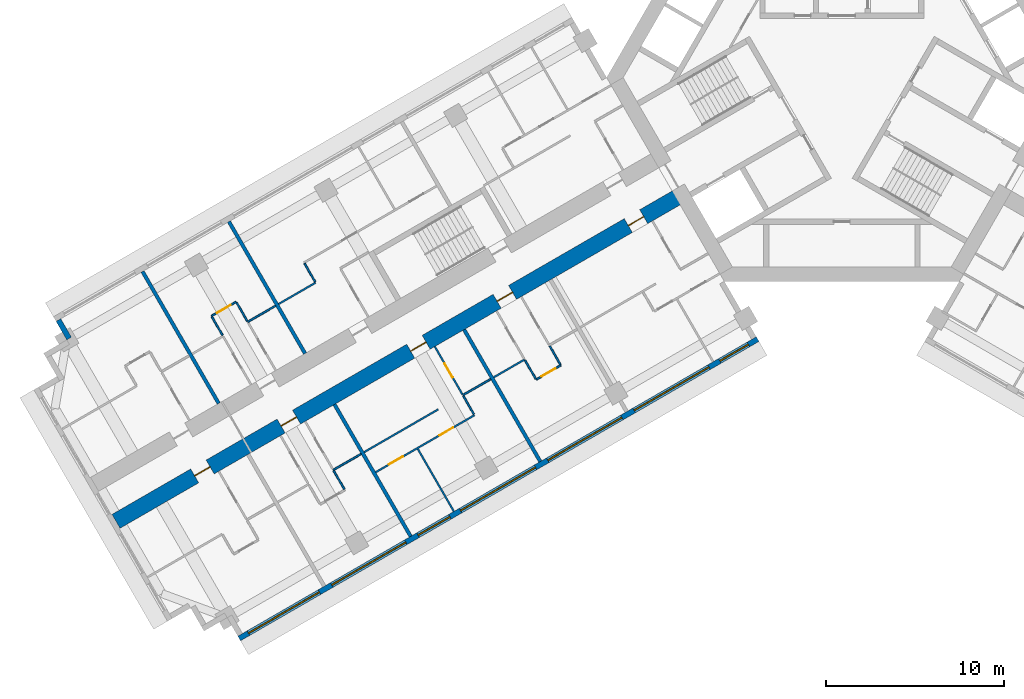
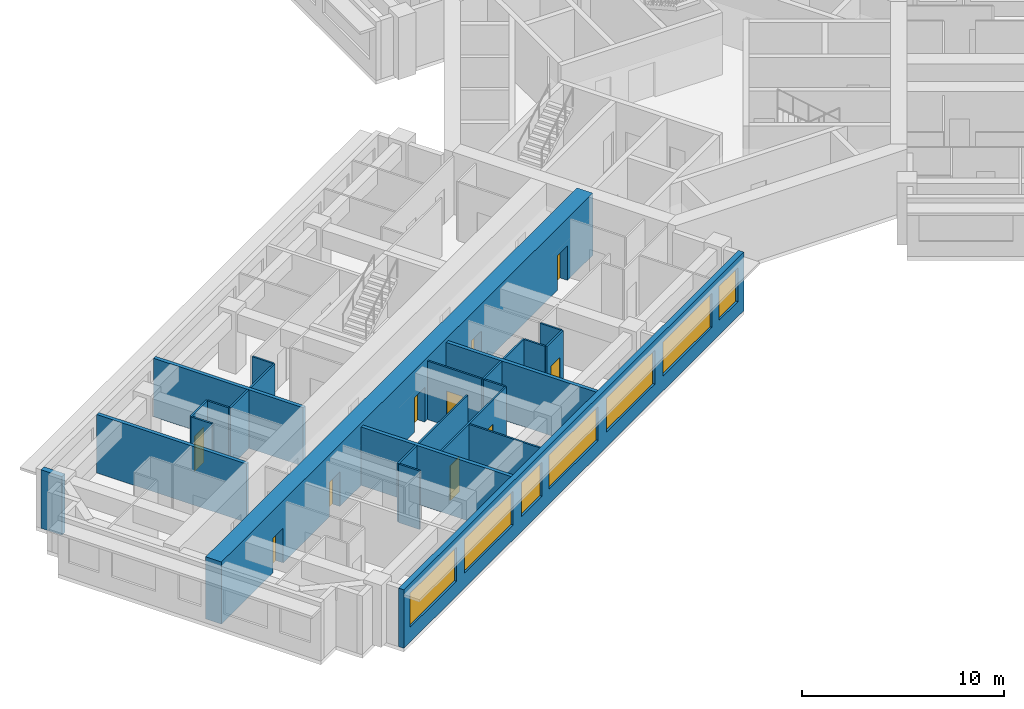
# One storey, part 4 of 15: 25 walls, 10 doors, 7 windows, 17 openings.
"""IFC4 building model written with IfcOpenShell, lengths in metres."""

from ifc_helpers import new_model, si_unit, direction, frame, frame_2d, origin, place, context, subcontext, project, spatial, rectangle, extrude, material, layer, layer_set, type_object, element, fill, save


model = new_model("IFC4")

# Units and contexts
model_context = context("Model", 3, precision=1e-05, world=origin(), true_north=direction((0.0, 1.0)))
body_context = subcontext(model_context, "Body", "Model", "MODEL_VIEW")
ifc_project = project(units=[si_unit("LENGTHUNIT", "METRE"), si_unit("AREAUNIT", "SQUARE_METRE"), si_unit("VOLUMEUNIT", "CUBIC_METRE"), si_unit("PLANEANGLEUNIT", "RADIAN"), si_unit("MASSUNIT", "GRAM", prefix="KILO")], contexts=[model_context])

# Site, building, storey
site_placement = place(None, origin())
site = spatial("IfcSite", under=ifc_project, at=site_placement, CompositionType="ELEMENT")
building_placement = place(site_placement, origin())
building = spatial("IfcBuilding", under=site, at=building_placement, Name="Impinga Residences", CompositionType="ELEMENT")
storey_placement = place(building_placement, frame((0.0, 0.0, 113.5)))
storey = spatial("IfcBuildingStorey", under=building, at=storey_placement, Name="L27", CompositionType="ELEMENT", Elevation=113.5)

# Wall, openings, doors
ifc_material_1 = material(Name="Concrete C60/75", Category="concrete")
ifc_layer_1 = layer(ifc_material_1, 0.89990234375)
ifc_layer_set_1 = layer_set([ifc_layer_1], Name="Concrete C60/75")
wall_type_1 = type_object("IfcWallType", Name="BW2 corridor buttress wall, L24 to L44 900", PredefinedType="SHEAR", material=ifc_layer_set_1)
wall_1_placement = place(storey_placement, frame((-8.95361328125, -6.554931640625, 0.0), z_axis=(0.0, 0.0, 1.0), x_axis=(-0.866024733898, -0.500001160275, 0.0)))
wall_1 = element("IfcWall", 1, at=wall_1_placement, inside=storey, type_object=wall_type_1, Name="Corridor wall BW2 WC L27", PredefinedType="SHEAR", context=body_context, shape_type="SweptSolid", body=[
    extrude(rectangle(XDim=36.7001953125, YDim=0.89990234375, at=frame_2d((18.35009765625, 0.0))), origin(), (0.0, 0.0, 1.0), 3.75),
])
opening_1_placement = place(wall_1_placement, frame((2.5, 0.0, 0.0)))
opening_1 = element("IfcOpeningElement", 2, at=opening_1_placement, cuts=wall_1, Name="Opening D1", PredefinedType="OPENING", context=body_context, shape_type="SweptSolid", body=[
    extrude(rectangle(XDim=1.0, YDim=2.10009765625, at=frame_2d((0.5, 1.050048828125))), frame((0.0, 0.4599609375, 0.0), z_axis=(0.0, -1.0, 0.0), x_axis=(1.0, 0.0, 0.0)), (0.0, 0.0, 1.0), 0.919921875),
])
opening_2_placement = place(wall_1_placement, frame((11.0, 0.0, 0.0)))
opening_2 = element("IfcOpeningElement", 3, at=opening_2_placement, cuts=wall_1, Name="Opening D1", PredefinedType="OPENING", context=body_context, shape_type="SweptSolid", body=[
    extrude(rectangle(XDim=1.0, YDim=2.10009765625, at=frame_2d((0.5, 1.050048828125))), frame((0.0, 0.4599609375, 0.0), z_axis=(0.0, -1.0, 0.0), x_axis=(1.0, 0.0, 0.0)), (0.0, 0.0, 1.0), 0.919921875),
])
opening_3_placement = place(wall_1_placement, frame((16.60009765625, 0.0, 0.0)))
opening_3 = element("IfcOpeningElement", 4, at=opening_3_placement, cuts=wall_1, Name="Opening D1", PredefinedType="OPENING", context=body_context, shape_type="SweptSolid", body=[
    extrude(rectangle(XDim=1.0, YDim=2.10009765625, at=frame_2d((0.5, 1.050048828125))), frame((0.0, 0.4599609375, 0.0), z_axis=(0.0, -1.0, 0.0), x_axis=(1.0, 0.0, 0.0)), (0.0, 0.0, 1.0), 0.919921875),
])
opening_4_placement = place(wall_1_placement, frame((25.0, 0.0, 0.0)))
opening_4 = element("IfcOpeningElement", 5, at=opening_4_placement, cuts=wall_1, Name="Opening D1", PredefinedType="OPENING", context=body_context, shape_type="SweptSolid", body=[
    extrude(rectangle(XDim=1.0, YDim=2.10009765625, at=frame_2d((0.5, 1.050048828125))), frame((0.0, 0.4599609375, 0.0), z_axis=(0.0, -1.0, 0.0), x_axis=(1.0, 0.0, 0.0)), (0.0, 0.0, 1.0), 0.919921875),
])
opening_5_placement = place(wall_1_placement, frame((30.60009765625, 0.0, 0.0)))
opening_5 = element("IfcOpeningElement", 6, at=opening_5_placement, cuts=wall_1, Name="Opening D1", PredefinedType="OPENING", context=body_context, shape_type="SweptSolid", body=[
    extrude(rectangle(XDim=1.0, YDim=2.10009765625, at=frame_2d((0.5, 1.050048828125))), frame((0.0, 0.4599609375, 0.0), z_axis=(0.0, -1.0, 0.0), x_axis=(1.0, 0.0, 0.0)), (0.0, 0.0, 1.0), 0.919921875),
])
ifc_material_2 = material(Name="Timber door set", Category="wood")
door_type_1 = type_object("IfcDoorType", Name="D1 apartment entrance door 1000x2100", OperationType="SINGLE_SWING_LEFT", PredefinedType="DOOR", material=ifc_material_2)
door_1_placement = place(opening_1_placement, origin())
door_1 = element("IfcDoor", 7, at=door_1_placement, inside=storey, type_object=door_type_1, Name="Apartment L27-WA1 entrance", OperationType="SINGLE_SWING_LEFT", OverallHeight=2.10009765625, OverallWidth=1.0, PredefinedType="DOOR", context=body_context, shape_type="SweptSolid", body=[
    extrude(rectangle(XDim=1.0, YDim=2.10009765625, at=frame_2d((0.5, 1.050048828125))), frame((0.0, 0.02490234375, 0.0), z_axis=(0.0, -1.0, 0.0), x_axis=(1.0, 0.0, 0.0)), (0.0, 0.0, 1.0), 0.050048828125),
])
fill(opening_1, door_1)
door_2_placement = place(opening_2_placement, origin())
door_2 = element("IfcDoor", 8, at=door_2_placement, inside=storey, type_object=door_type_1, Name="Apartment L27-WA2 entrance", OperationType="SINGLE_SWING_LEFT", OverallHeight=2.10009765625, OverallWidth=1.0, PredefinedType="DOOR", context=body_context, shape_type="SweptSolid", body=[
    extrude(rectangle(XDim=1.0, YDim=2.10009765625, at=frame_2d((0.5, 1.050048828125))), frame((0.0, 0.02490234375, 0.0), z_axis=(0.0, -1.0, 0.0), x_axis=(1.0, 0.0, 0.0)), (0.0, 0.0, 1.0), 0.050048828125),
])
fill(opening_2, door_2)
door_3_placement = place(opening_3_placement, origin())
door_3 = element("IfcDoor", 9, at=door_3_placement, inside=storey, type_object=door_type_1, Name="Apartment L27-WA3 entrance", OperationType="SINGLE_SWING_LEFT", OverallHeight=2.10009765625, OverallWidth=1.0, PredefinedType="DOOR", context=body_context, shape_type="SweptSolid", body=[
    extrude(rectangle(XDim=1.0, YDim=2.10009765625, at=frame_2d((0.5, 1.050048828125))), frame((0.0, 0.02490234375, 0.0), z_axis=(0.0, -1.0, 0.0), x_axis=(1.0, 0.0, 0.0)), (0.0, 0.0, 1.0), 0.050048828125),
])
fill(opening_3, door_3)
door_4_placement = place(opening_4_placement, origin())
door_4 = element("IfcDoor", 10, at=door_4_placement, inside=storey, type_object=door_type_1, Name="Apartment L27-WA4 entrance", OperationType="SINGLE_SWING_RIGHT", OverallHeight=2.10009765625, OverallWidth=1.0, PredefinedType="DOOR", context=body_context, shape_type="SweptSolid", body=[
    extrude(rectangle(XDim=1.0, YDim=2.10009765625, at=frame_2d((0.5, 1.050048828125))), frame((0.0, 0.02490234375, 0.0), z_axis=(0.0, -1.0, 0.0), x_axis=(1.0, 0.0, 0.0)), (0.0, 0.0, 1.0), 0.050048828125),
])
fill(opening_4, door_4)
door_5_placement = place(opening_5_placement, origin())
door_5 = element("IfcDoor", 11, at=door_5_placement, inside=storey, type_object=door_type_1, Name="Apartment L27-WA5 entrance", OperationType="SINGLE_SWING_RIGHT", OverallHeight=2.10009765625, OverallWidth=1.0, PredefinedType="DOOR", context=body_context, shape_type="SweptSolid", body=[
    extrude(rectangle(XDim=1.0, YDim=2.10009765625, at=frame_2d((0.5, 1.050048828125))), frame((0.0, 0.02490234375, 0.0), z_axis=(0.0, -1.0, 0.0), x_axis=(1.0, 0.0, 0.0)), (0.0, 0.0, 1.0), 0.050048828125),
])
fill(opening_5, door_5)

# Wall
ifc_material_3 = material(Name="Terracotta rainscreen on blockwork", Category="masonry")
ifc_layer_2 = layer(ifc_material_3, 0.300048828125)
ifc_layer_set_2 = layer_set([ifc_layer_2], Name="EW1 external wall, terracotta rainscreen on blockwork 300")
wall_type_2 = type_object("IfcWallType", Name="EW1 external wall, terracotta rainscreen on blockwork 300", PredefinedType="SOLIDWALL", material=ifc_layer_set_2)
wall_2_placement = place(storey_placement, frame((-43.37109375, -14.64208984375, 0.0), z_axis=(0.0, 0.0, 1.0), x_axis=(-0.500029051137, 0.866008630453, 0.0)))
element("IfcWall", 12, at=wall_2_placement, inside=storey, type_object=wall_type_2, Name="External wall EW1 L27", PredefinedType="SOLIDWALL", context=body_context, shape_type="SweptSolid", body=[
    extrude(rectangle(XDim=1.19482421875, YDim=0.300048828125, at=frame_2d((0.597412109375, 0.0))), origin(), (0.0, 0.0, 1.0), 3.530029296875),
])

# Wall, openings, windows
wall_3_placement = place(storey_placement, frame((-4.72509765625, -14.67919921875, 0.0), z_axis=(0.0, 0.0, 1.0), x_axis=(-0.866024291668, -0.500001926238, 0.0)))
wall_3 = element("IfcWall", 13, at=wall_3_placement, inside=storey, type_object=wall_type_2, Name="External wall EW1 L27", PredefinedType="SOLIDWALL", context=body_context, shape_type="SweptSolid", body=[
    extrude(rectangle(XDim=33.599853515625, YDim=0.300048828125, at=frame_2d((16.7998046875, 0.0))), origin(), (0.0, 0.0, 1.0), 3.530029296875),
])
opening_6_placement = place(wall_3_placement, frame((0.60009765625, 0.0, 0.89990234375)))
opening_6 = element("IfcOpeningElement", 14, at=opening_6_placement, cuts=wall_3, Name="Opening W15", PredefinedType="OPENING", context=body_context, shape_type="SweptSolid", body=[
    extrude(rectangle(XDim=1.85009765625, YDim=2.050048828125, at=frame_2d((0.925048828125, 1.02490234375))), frame((0.0, 0.159912109375, 0.0), z_axis=(0.0, -1.0, 0.0), x_axis=(1.0, 0.0, 0.0)), (0.0, 0.0, 1.0), 0.320068359375),
])
opening_7_placement = place(wall_3_placement, frame((3.14990234375, 0.0, 0.89990234375)))
opening_7 = element("IfcOpeningElement", 15, at=opening_7_placement, cuts=wall_3, Name="Opening W6", PredefinedType="OPENING", context=body_context, shape_type="SweptSolid", body=[
    extrude(rectangle(XDim=4.85009765625, YDim=2.050048828125, at=frame_2d((2.425048828125, 1.02490234375))), frame((0.0, 0.159912109375, 0.0), z_axis=(0.0, -1.0, 0.0), x_axis=(1.0, 0.0, 0.0)), (0.0, 0.0, 1.0), 0.320068359375),
])
opening_8_placement = place(wall_3_placement, frame((8.800048828125, 0.0, 0.89990234375)))
opening_8 = element("IfcOpeningElement", 16, at=opening_8_placement, cuts=wall_3, Name="Opening W8", PredefinedType="OPENING", context=body_context, shape_type="SweptSolid", body=[
    extrude(rectangle(XDim=4.800048828125, YDim=2.050048828125, at=frame_2d((2.39990234375, 1.02490234375))), frame((0.0, 0.159912109375, 0.0), z_axis=(0.0, -1.0, 0.0), x_axis=(1.0, 0.0, 0.0)), (0.0, 0.0, 1.0), 0.320068359375),
])
opening_9_placement = place(wall_3_placement, frame((14.39990234375, 0.0, 0.89990234375)))
opening_9 = element("IfcOpeningElement", 17, at=opening_9_placement, cuts=wall_3, Name="Opening W6", PredefinedType="OPENING", context=body_context, shape_type="SweptSolid", body=[
    extrude(rectangle(XDim=4.85009765625, YDim=2.050048828125, at=frame_2d((2.425048828125, 1.02490234375))), frame((0.0, 0.159912109375, 0.0), z_axis=(0.0, -1.0, 0.0), x_axis=(1.0, 0.0, 0.0)), (0.0, 0.0, 1.0), 0.320068359375),
])
opening_10_placement = place(wall_3_placement, frame((19.949951171875, 0.0, 0.89990234375)))
opening_10 = element("IfcOpeningElement", 18, at=opening_10_placement, cuts=wall_3, Name="Opening W14", PredefinedType="OPENING", context=body_context, shape_type="SweptSolid", body=[
    extrude(rectangle(XDim=2.050048828125, YDim=2.050048828125, at=frame_2d((1.02490234375, 1.02490234375))), frame((0.0, 0.159912109375, 0.0), z_axis=(0.0, -1.0, 0.0), x_axis=(1.0, 0.0, 0.0)), (0.0, 0.0, 1.0), 0.320068359375),
])
opening_11_placement = place(wall_3_placement, frame((22.800048828125, 0.0, 0.89990234375)))
opening_11 = element("IfcOpeningElement", 19, at=opening_11_placement, cuts=wall_3, Name="Opening W8", PredefinedType="OPENING", context=body_context, shape_type="SweptSolid", body=[
    extrude(rectangle(XDim=4.800048828125, YDim=2.050048828125, at=frame_2d((2.39990234375, 1.02490234375))), frame((0.0, 0.159912109375, 0.0), z_axis=(0.0, -1.0, 0.0), x_axis=(1.0, 0.0, 0.0)), (0.0, 0.0, 1.0), 0.320068359375),
])
opening_12_placement = place(wall_3_placement, frame((28.39990234375, 0.0, 0.89990234375)))
opening_12 = element("IfcOpeningElement", 20, at=opening_12_placement, cuts=wall_3, Name="Opening W3", PredefinedType="OPENING", context=body_context, shape_type="SweptSolid", body=[
    extrude(rectangle(XDim=4.60009765625, YDim=2.050048828125, at=frame_2d((2.300048828125, 1.02490234375))), frame((0.0, 0.159912109375, 0.0), z_axis=(0.0, -1.0, 0.0), x_axis=(1.0, 0.0, 0.0)), (0.0, 0.0, 1.0), 0.320068359375),
])
ifc_material_4 = material(Name="Aluminium window, clear double glazing", Category="aluminium")
window_type_1 = type_object("IfcWindowType", Name="W14 ribbon window 2050x2050", PartitioningType="SINGLE_PANEL", PredefinedType="WINDOW", material=ifc_material_4)
window_1_placement = place(opening_10_placement, origin())
window_1 = element("IfcWindow", 21, at=window_1_placement, inside=storey, type_object=window_type_1, Name="Window L27", OverallHeight=2.050048828125, OverallWidth=2.050048828125, PartitioningType="SINGLE_PANEL", PredefinedType="WINDOW", context=body_context, shape_type="SweptSolid", body=[
    extrude(rectangle(XDim=2.050048828125, YDim=2.050048828125, at=frame_2d((1.02490234375, 1.02490234375))), frame((0.0, 0.030029296875, 0.0), z_axis=(0.0, -1.0, 0.0), x_axis=(1.0, 0.0, 0.0)), (0.0, 0.0, 1.0), 0.06005859375),
])
fill(opening_10, window_1)
window_type_2 = type_object("IfcWindowType", Name="W15 ribbon window 1850x2050", PartitioningType="SINGLE_PANEL", PredefinedType="WINDOW", material=ifc_material_4)
window_2_placement = place(opening_6_placement, origin())
window_2 = element("IfcWindow", 22, at=window_2_placement, inside=storey, type_object=window_type_2, Name="Window L27", OverallHeight=2.050048828125, OverallWidth=1.85009765625, PartitioningType="SINGLE_PANEL", PredefinedType="WINDOW", context=body_context, shape_type="SweptSolid", body=[
    extrude(rectangle(XDim=1.85009765625, YDim=2.050048828125, at=frame_2d((0.925048828125, 1.02490234375))), frame((0.0, 0.030029296875, 0.0), z_axis=(0.0, -1.0, 0.0), x_axis=(1.0, 0.0, 0.0)), (0.0, 0.0, 1.0), 0.06005859375),
])
fill(opening_6, window_2)
window_type_3 = type_object("IfcWindowType", Name="W3 ribbon window 4600x2050", PartitioningType="SINGLE_PANEL", PredefinedType="WINDOW", material=ifc_material_4)
window_3_placement = place(opening_12_placement, origin())
window_3 = element("IfcWindow", 23, at=window_3_placement, inside=storey, type_object=window_type_3, Name="Window L27", OverallHeight=2.050048828125, OverallWidth=4.60009765625, PartitioningType="SINGLE_PANEL", PredefinedType="WINDOW", context=body_context, shape_type="SweptSolid", body=[
    extrude(rectangle(XDim=4.60009765625, YDim=2.050048828125, at=frame_2d((2.300048828125, 1.02490234375))), frame((0.0, 0.030029296875, 0.0), z_axis=(0.0, -1.0, 0.0), x_axis=(1.0, 0.0, 0.0)), (0.0, 0.0, 1.0), 0.06005859375),
])
fill(opening_12, window_3)
window_type_4 = type_object("IfcWindowType", Name="W6 ribbon window 4850x2050", PartitioningType="SINGLE_PANEL", PredefinedType="WINDOW", material=ifc_material_4)
window_4_placement = place(opening_7_placement, origin())
window_4 = element("IfcWindow", 24, at=window_4_placement, inside=storey, type_object=window_type_4, Name="Window L27", OverallHeight=2.050048828125, OverallWidth=4.85009765625, PartitioningType="SINGLE_PANEL", PredefinedType="WINDOW", context=body_context, shape_type="SweptSolid", body=[
    extrude(rectangle(XDim=4.85009765625, YDim=2.050048828125, at=frame_2d((2.425048828125, 1.02490234375))), frame((0.0, 0.030029296875, 0.0), z_axis=(0.0, -1.0, 0.0), x_axis=(1.0, 0.0, 0.0)), (0.0, 0.0, 1.0), 0.06005859375),
])
fill(opening_7, window_4)
window_5_placement = place(opening_9_placement, origin())
window_5 = element("IfcWindow", 25, at=window_5_placement, inside=storey, type_object=window_type_4, Name="Window L27", OverallHeight=2.050048828125, OverallWidth=4.85009765625, PartitioningType="SINGLE_PANEL", PredefinedType="WINDOW", context=body_context, shape_type="SweptSolid", body=[
    extrude(rectangle(XDim=4.85009765625, YDim=2.050048828125, at=frame_2d((2.425048828125, 1.02490234375))), frame((0.0, 0.030029296875, 0.0), z_axis=(0.0, -1.0, 0.0), x_axis=(1.0, 0.0, 0.0)), (0.0, 0.0, 1.0), 0.06005859375),
])
fill(opening_9, window_5)
window_type_5 = type_object("IfcWindowType", Name="W8 ribbon window 4800x2050", PartitioningType="SINGLE_PANEL", PredefinedType="WINDOW", material=ifc_material_4)
window_6_placement = place(opening_8_placement, origin())
window_6 = element("IfcWindow", 26, at=window_6_placement, inside=storey, type_object=window_type_5, Name="Window L27", OverallHeight=2.050048828125, OverallWidth=4.800048828125, PartitioningType="SINGLE_PANEL", PredefinedType="WINDOW", context=body_context, shape_type="SweptSolid", body=[
    extrude(rectangle(XDim=4.800048828125, YDim=2.050048828125, at=frame_2d((2.39990234375, 1.02490234375))), frame((0.0, 0.030029296875, 0.0), z_axis=(0.0, -1.0, 0.0), x_axis=(1.0, 0.0, 0.0)), (0.0, 0.0, 1.0), 0.06005859375),
])
fill(opening_8, window_6)
window_7_placement = place(opening_11_placement, origin())
window_7 = element("IfcWindow", 27, at=window_7_placement, inside=storey, type_object=window_type_5, Name="Window L27", OverallHeight=2.050048828125, OverallWidth=4.800048828125, PartitioningType="SINGLE_PANEL", PredefinedType="WINDOW", context=body_context, shape_type="SweptSolid", body=[
    extrude(rectangle(XDim=4.800048828125, YDim=2.050048828125, at=frame_2d((2.39990234375, 1.02490234375))), frame((0.0, 0.030029296875, 0.0), z_axis=(0.0, -1.0, 0.0), x_axis=(1.0, 0.0, 0.0)), (0.0, 0.0, 1.0), 0.06005859375),
])
fill(opening_11, window_7)

# Wall
ifc_material_5 = material(Name="Gypsum board on steel studs", Category="steel")
ifc_layer_3 = layer(ifc_material_5, 0.10009765625)
ifc_layer_set_3 = layer_set([ifc_layer_3], Name="Gypsum board on steel studs")
wall_type_3 = type_object("IfcWallType", Name="IP1 partition 100", PredefinedType="PARTITIONING", material=ifc_layer_set_3)
wall_4_placement = place(storey_placement, frame((-17.8056640625, -15.82275390625, 0.0), z_axis=(0.0, 0.0, 1.0), x_axis=(-0.866041268327, -0.499972520799, 0.0)))
element("IfcWall", 28, at=wall_4_placement, inside=storey, type_object=wall_type_3, Name="Partition L27-WA2:DIV1", PredefinedType="PARTITIONING", context=body_context, shape_type="SweptSolid", body=[
    extrude(rectangle(XDim=2.0, YDim=0.10009765625, at=frame_2d((1.0, 0.0))), origin(), (0.0, 0.0, 1.0), 3.530029296875),
])

# Wall, opening, door
wall_5_placement = place(storey_placement, frame((-15.77001953125, -16.1484375, 0.0), z_axis=(0.0, 0.0, 1.0), x_axis=(-0.866028054938, -0.499995408039, 0.0)))
wall_5 = element("IfcWall", 29, at=wall_5_placement, inside=storey, type_object=wall_type_3, Name="Partition L27-WA2:STRIP", PredefinedType="PARTITIONING", context=body_context, shape_type="SweptSolid", body=[
    extrude(rectangle(XDim=1.60009765625, YDim=0.10009765625, at=frame_2d((0.800048828125, 0.0))), origin(), (0.0, 0.0, 1.0), 3.530029296875),
])
opening_13_placement = place(wall_5_placement, frame((0.35009765625, 0.0, 0.0)))
opening_13 = element("IfcOpeningElement", 30, at=opening_13_placement, cuts=wall_5, Name="Opening D2", PredefinedType="OPENING", context=body_context, shape_type="SweptSolid", body=[
    extrude(rectangle(XDim=0.89990234375, YDim=2.10009765625, at=frame_2d((0.449951171875, 1.050048828125))), frame((0.0, 0.06005859375, 0.0), z_axis=(0.0, -1.0, 0.0), x_axis=(1.0, 0.0, 0.0)), (0.0, 0.0, 1.0), 0.1201171875),
])
door_type_2 = type_object("IfcDoorType", Name="D2 internal door 900x2100", OperationType="SINGLE_SWING_LEFT", PredefinedType="DOOR", material=ifc_material_2)
door_6_placement = place(opening_13_placement, origin())
door_6 = element("IfcDoor", 31, at=door_6_placement, inside=storey, type_object=door_type_2, Name="Apartment L27-WA2 room door", OperationType="SINGLE_SWING_LEFT", OverallHeight=2.10009765625, OverallWidth=0.89990234375, PredefinedType="DOOR", context=body_context, shape_type="SweptSolid", body=[
    extrude(rectangle(XDim=0.89990234375, YDim=2.10009765625, at=frame_2d((0.449951171875, 1.050048828125))), frame((0.0, 0.02490234375, 0.0), z_axis=(0.0, -1.0, 0.0), x_axis=(1.0, 0.0, 0.0)), (0.0, 0.0, 1.0), 0.050048828125),
])
fill(opening_13, door_6)

# Walls
wall_6_placement = place(storey_placement, frame((-16.39501953125, -15.06591796875, 0.0), z_axis=(0.0, 0.0, 1.0), x_axis=(0.499880961361, -0.866094119867, 0.0)))
element("IfcWall", 32, at=wall_6_placement, inside=storey, type_object=wall_type_3, Name="Partition L27-WA2:SE0", PredefinedType="PARTITIONING", context=body_context, shape_type="SweptSolid", body=[
    extrude(rectangle(XDim=1.199951171875, YDim=0.10009765625, at=frame_2d((0.60009765625, 0.0))), origin(), (0.0, 0.0, 1.0), 3.530029296875),
])
wall_7_placement = place(storey_placement, frame((-17.78076171875, -15.865966796875, 0.0), z_axis=(0.0, 0.0, 1.0), x_axis=(0.500033551112, -0.866006032174, 0.0)))
element("IfcWall", 33, at=wall_7_placement, inside=storey, type_object=wall_type_3, Name="Partition L27-WA2:SE1", PredefinedType="PARTITIONING", context=body_context, shape_type="SweptSolid", body=[
    extrude(rectangle(XDim=1.2001953125, YDim=0.10009765625, at=frame_2d((0.60009765625, 0.0))), origin(), (0.0, 0.0, 1.0), 3.530029296875),
])
wall_8_placement = place(storey_placement, frame((-19.7109375, -16.922607421875, 0.0), z_axis=(0.0, 0.0, 1.0), x_axis=(-0.865989075817, -0.500062916607, 0.0)))
element("IfcWall", 34, at=wall_8_placement, inside=storey, type_object=wall_type_3, Name="Partition L27-WA3:DIV0", PredefinedType="PARTITIONING", context=body_context, shape_type="SweptSolid", body=[
    extrude(rectangle(XDim=1.800048828125, YDim=0.10009765625, at=frame_2d((0.89990234375, 0.0))), origin(), (0.0, 0.0, 1.0), 3.530029296875),
])
wall_9_placement = place(storey_placement, frame((-22.655517578125, -18.622802734375, 0.0), z_axis=(0.0, 0.0, 1.0), x_axis=(-0.866024647952, -0.500001309137, 0.0)))
element("IfcWall", 35, at=wall_9_placement, inside=storey, type_object=wall_type_3, Name="Partition L27-WA3:DIV1", PredefinedType="PARTITIONING", context=body_context, shape_type="SweptSolid", body=[
    extrude(rectangle(XDim=4.7998046875, YDim=0.10009765625, at=frame_2d((2.39990234375, 0.0))), origin(), (0.0, 0.0, 1.0), 3.530029296875),
])

# Wall, openings, doors
wall_10_placement = place(storey_placement, frame((-20.619873046875, -18.948486328125, 0.0), z_axis=(0.0, 0.0, 1.0), x_axis=(-0.866025499775, -0.499999833739, 0.0)))
wall_10 = element("IfcWall", 36, at=wall_10_placement, inside=storey, type_object=wall_type_3, Name="Partition L27-WA3:STRIP", PredefinedType="PARTITIONING", context=body_context, shape_type="SweptSolid", body=[
    extrude(rectangle(XDim=6.39990234375, YDim=0.10009765625, at=frame_2d((3.199951171875, 0.0))), origin(), (0.0, 0.0, 1.0), 3.530029296875),
])
opening_14_placement = place(wall_10_placement, frame((1.375, 0.0, 0.0)))
opening_14 = element("IfcOpeningElement", 37, at=opening_14_placement, cuts=wall_10, Name="Opening D2", PredefinedType="OPENING", context=body_context, shape_type="SweptSolid", body=[
    extrude(rectangle(XDim=0.89990234375, YDim=2.10009765625, at=frame_2d((0.449951171875, 1.050048828125))), frame((0.0, 0.06005859375, 0.0), z_axis=(0.0, -1.0, 0.0), x_axis=(1.0, 0.0, 0.0)), (0.0, 0.0, 1.0), 0.1201171875),
])
opening_15_placement = place(wall_10_placement, frame((4.625, 0.0, 0.0)))
opening_15 = element("IfcOpeningElement", 38, at=opening_15_placement, cuts=wall_10, Name="Opening D2", PredefinedType="OPENING", context=body_context, shape_type="SweptSolid", body=[
    extrude(rectangle(XDim=0.89990234375, YDim=2.10009765625, at=frame_2d((0.449951171875, 1.050048828125))), frame((0.0, 0.06005859375, 0.0), z_axis=(0.0, -1.0, 0.0), x_axis=(1.0, 0.0, 0.0)), (0.0, 0.0, 1.0), 0.1201171875),
])
door_7_placement = place(opening_14_placement, origin())
door_7 = element("IfcDoor", 39, at=door_7_placement, inside=storey, type_object=door_type_2, Name="Apartment L27-WA3 room door", OperationType="SINGLE_SWING_LEFT", OverallHeight=2.10009765625, OverallWidth=0.89990234375, PredefinedType="DOOR", context=body_context, shape_type="SweptSolid", body=[
    extrude(rectangle(XDim=0.89990234375, YDim=2.10009765625, at=frame_2d((0.449951171875, 1.050048828125))), frame((0.0, 0.02490234375, 0.0), z_axis=(0.0, -1.0, 0.0), x_axis=(1.0, 0.0, 0.0)), (0.0, 0.0, 1.0), 0.050048828125),
])
fill(opening_14, door_7)
door_8_placement = place(opening_15_placement, origin())
door_8 = element("IfcDoor", 40, at=door_8_placement, inside=storey, type_object=door_type_2, Name="Apartment L27-WA3 room door", OperationType="SINGLE_SWING_RIGHT", OverallHeight=2.10009765625, OverallWidth=0.89990234375, PredefinedType="DOOR", context=body_context, shape_type="SweptSolid", body=[
    extrude(rectangle(XDim=0.89990234375, YDim=2.10009765625, at=frame_2d((0.449951171875, 1.050048828125))), frame((0.0, 0.02490234375, 0.0), z_axis=(0.0, -1.0, 0.0), x_axis=(1.0, 0.0, 0.0)), (0.0, 0.0, 1.0), 0.050048828125),
])
fill(opening_15, door_8)

# Wall
wall_11_placement = place(storey_placement, frame((-21.244873046875, -17.865966796875, 0.0), z_axis=(0.0, 0.0, 1.0), x_axis=(0.500033551112, -0.866006032174, 0.0)))
element("IfcWall", 41, at=wall_11_placement, inside=storey, type_object=wall_type_3, Name="Partition L27-WA3:SE0", PredefinedType="PARTITIONING", context=body_context, shape_type="SweptSolid", body=[
    extrude(rectangle(XDim=1.2001953125, YDim=0.10009765625, at=frame_2d((0.60009765625, 0.0))), origin(), (0.0, 0.0, 1.0), 3.530029296875),
])

# Wall, opening, door
wall_12_placement = place(storey_placement, frame((-22.8447265625, -15.0947265625, 0.0), z_axis=(0.0, 0.0, 1.0), x_axis=(0.499967891604, -0.866043940782, 0.0)))
wall_12 = element("IfcWall", 42, at=wall_12_placement, inside=storey, type_object=wall_type_3, Name="Partition L27-WA3:IB1", PredefinedType="PARTITIONING", context=body_context, shape_type="SweptSolid", body=[
    extrude(rectangle(XDim=3.099853515625, YDim=0.10009765625, at=frame_2d((1.5498046875, 0.0))), origin(), (0.0, 0.0, 1.0), 3.530029296875),
])
opening_16_placement = place(wall_12_placement, frame((1.10009765625, 0.0, 0.0)))
opening_16 = element("IfcOpeningElement", 43, at=opening_16_placement, cuts=wall_12, Name="Opening D2", PredefinedType="OPENING", context=body_context, shape_type="SweptSolid", body=[
    extrude(rectangle(XDim=0.89990234375, YDim=2.10009765625, at=frame_2d((0.449951171875, 1.050048828125))), frame((0.0, 0.06005859375, 0.0), z_axis=(0.0, -1.0, 0.0), x_axis=(1.0, 0.0, 0.0)), (0.0, 0.0, 1.0), 0.1201171875),
])
door_9_placement = place(opening_16_placement, origin())
door_9 = element("IfcDoor", 44, at=door_9_placement, inside=storey, type_object=door_type_2, Name="Apartment L27-WA3 bathroom door", OperationType="SINGLE_SWING_LEFT", OverallHeight=2.10009765625, OverallWidth=0.89990234375, PredefinedType="DOOR", context=body_context, shape_type="SweptSolid", body=[
    extrude(rectangle(XDim=0.89990234375, YDim=2.10009765625, at=frame_2d((0.449951171875, 1.050048828125))), frame((0.0, 0.02490234375, 0.0), z_axis=(0.0, -1.0, 0.0), x_axis=(1.0, 0.0, 0.0)), (0.0, 0.0, 1.0), 0.050048828125),
])
fill(opening_16, door_9)

# Walls
wall_13_placement = place(storey_placement, frame((-23.799072265625, -20.841796875, 0.0), z_axis=(0.0, 0.0, 1.0), x_axis=(0.499990325971, -0.866030989016, 0.0)))
element("IfcWall", 45, at=wall_13_placement, inside=storey, type_object=wall_type_3, Name="Partition L27-WA3:OB1", PredefinedType="PARTITIONING", context=body_context, shape_type="SweptSolid", body=[
    extrude(rectangle(XDim=4.0498046875, YDim=0.10009765625, at=frame_2d((2.02490234375, 0.0))), origin(), (0.0, 0.0, 1.0), 3.530029296875),
])
wall_14_placement = place(storey_placement, frame((-26.985595703125, -21.122802734375, 0.0), z_axis=(0.0, 0.0, 1.0), x_axis=(-0.866047807691, -0.499961193289, 0.0)))
element("IfcWall", 46, at=wall_14_placement, inside=storey, type_object=wall_type_3, Name="Partition L27-WA4:DIV0", PredefinedType="PARTITIONING", context=body_context, shape_type="SweptSolid", body=[
    extrude(rectangle(XDim=1.800048828125, YDim=0.10009765625, at=frame_2d((0.89990234375, 0.0))), origin(), (0.0, 0.0, 1.0), 3.530029296875),
])
wall_15_placement = place(storey_placement, frame((-28.51953125, -22.06591796875, 0.0), z_axis=(0.0, 0.0, 1.0), x_axis=(0.500033551112, -0.866006032174, 0.0)))
element("IfcWall", 47, at=wall_15_placement, inside=storey, type_object=wall_type_3, Name="Partition L27-WA4:SE0", PredefinedType="PARTITIONING", context=body_context, shape_type="SweptSolid", body=[
    extrude(rectangle(XDim=1.2001953125, YDim=0.10009765625, at=frame_2d((0.60009765625, 0.0))), origin(), (0.0, 0.0, 1.0), 3.530029296875),
])
wall_16_placement = place(storey_placement, frame((-29.533935546875, -11.5087890625, 0.0), z_axis=(0.0, 0.0, 1.0), x_axis=(-0.866024647952, -0.500001309137, 0.0)))
element("IfcWall", 48, at=wall_16_placement, inside=storey, type_object=wall_type_3, Name="Partition L27-WF2:DIV1", PredefinedType="PARTITIONING", context=body_context, shape_type="SweptSolid", body=[
    extrude(rectangle(XDim=2.39990234375, YDim=0.10009765625, at=frame_2d((1.199951171875, 0.0))), origin(), (0.0, 0.0, 1.0), 3.530029296875),
])
wall_17_placement = place(storey_placement, frame((-29.558837890625, -11.465576171875, 0.0), z_axis=(0.0, 0.0, 1.0), x_axis=(-0.500033551112, 0.866006032174, 0.0)))
element("IfcWall", 49, at=wall_17_placement, inside=storey, type_object=wall_type_3, Name="Partition L27-WF2:SE1", PredefinedType="PARTITIONING", context=body_context, shape_type="SweptSolid", body=[
    extrude(rectangle(XDim=1.2001953125, YDim=0.10009765625, at=frame_2d((0.60009765625, 0.0))), origin(), (0.0, 0.0, 1.0), 3.530029296875),
])
wall_18_placement = place(storey_placement, frame((-31.78564453125, -12.808837890625, 0.0), z_axis=(0.0, 0.0, 1.0), x_axis=(-0.866047807691, -0.499961193289, 0.0)))
element("IfcWall", 50, at=wall_18_placement, inside=storey, type_object=wall_type_3, Name="Partition L27-WF3:DIV0", PredefinedType="PARTITIONING", context=body_context, shape_type="SweptSolid", body=[
    extrude(rectangle(XDim=1.800048828125, YDim=0.10009765625, at=frame_2d((0.89990234375, 0.0))), origin(), (0.0, 0.0, 1.0), 3.530029296875),
])

# Wall, opening, door
wall_19_placement = place(storey_placement, frame((-33.994384765625, -12.5830078125, 0.0), z_axis=(0.0, 0.0, 1.0), x_axis=(-0.866028054938, -0.499995408039, 0.0)))
wall_19 = element("IfcWall", 51, at=wall_19_placement, inside=storey, type_object=wall_type_3, Name="Partition L27-WF3:STRIP", PredefinedType="PARTITIONING", context=body_context, shape_type="SweptSolid", body=[
    extrude(rectangle(XDim=1.60009765625, YDim=0.10009765625, at=frame_2d((0.800048828125, 0.0))), origin(), (0.0, 0.0, 1.0), 3.530029296875),
])
opening_17_placement = place(wall_19_placement, frame((0.35009765625, 0.0, 0.0)))
opening_17 = element("IfcOpeningElement", 52, at=opening_17_placement, cuts=wall_19, Name="Opening D2", PredefinedType="OPENING", context=body_context, shape_type="SweptSolid", body=[
    extrude(rectangle(XDim=0.89990234375, YDim=2.10009765625, at=frame_2d((0.449951171875, 1.050048828125))), frame((0.0, 0.06005859375, 0.0), z_axis=(0.0, -1.0, 0.0), x_axis=(1.0, 0.0, 0.0)), (0.0, 0.0, 1.0), 0.1201171875),
])
door_10_placement = place(opening_17_placement, origin())
door_10 = element("IfcDoor", 53, at=door_10_placement, inside=storey, type_object=door_type_2, Name="Apartment L27-WF3 room door", OperationType="SINGLE_SWING_LEFT", OverallHeight=2.10009765625, OverallWidth=0.89990234375, PredefinedType="DOOR", context=body_context, shape_type="SweptSolid", body=[
    extrude(rectangle(XDim=0.89990234375, YDim=2.10009765625, at=frame_2d((0.449951171875, 1.050048828125))), frame((0.0, 0.02490234375, 0.0), z_axis=(0.0, -1.0, 0.0), x_axis=(1.0, 0.0, 0.0)), (0.0, 0.0, 1.0), 0.050048828125),
])
fill(opening_17, door_10)

# Walls
wall_20_placement = place(storey_placement, frame((-33.369384765625, -13.66552734375, 0.0), z_axis=(0.0, 0.0, 1.0), x_axis=(-0.500033551112, 0.866006032174, 0.0)))
element("IfcWall", 54, at=wall_20_placement, inside=storey, type_object=wall_type_3, Name="Partition L27-WF3:SE0", PredefinedType="PARTITIONING", context=body_context, shape_type="SweptSolid", body=[
    extrude(rectangle(XDim=1.2001953125, YDim=0.10009765625, at=frame_2d((0.60009765625, 0.0))), origin(), (0.0, 0.0, 1.0), 3.530029296875),
])
wall_21_placement = place(storey_placement, frame((-34.755126953125, -14.465576171875, 0.0), z_axis=(0.0, 0.0, 1.0), x_axis=(-0.499880961361, 0.866094119867, 0.0)))
element("IfcWall", 55, at=wall_21_placement, inside=storey, type_object=wall_type_3, Name="Partition L27-WF3:SE1", PredefinedType="PARTITIONING", context=body_context, shape_type="SweptSolid", body=[
    extrude(rectangle(XDim=1.199951171875, YDim=0.10009765625, at=frame_2d((0.60009765625, 0.0))), origin(), (0.0, 0.0, 1.0), 3.530029296875),
])
ifc_material_6 = material(Name="Concrete blockwork", Category="masonry")
ifc_layer_4 = layer(ifc_material_6, 0.199951171875)
ifc_layer_set_4 = layer_set([ifc_layer_4], Name="PW1 party wall between apartments 200")
wall_type_4 = type_object("IfcWallType", Name="PW1 party wall between apartments 200", PredefinedType="SOLIDWALL", material=ifc_layer_set_4)
for number, where, z_axis, x_axis, name in (
    (56, (-21.199462890625, -14.144775390625, 0.0), (0.0, 0.0, 1.0), (0.500011643316, -0.866018681408, 0.0), "Party wall between apartments L27-WA2:PARTY"),
    (57, (-28.473876953125, -18.3447265625, 0.0), (0.0, 0.0, 1.0), (0.499990227581, -0.86603104582, 0.0), "Party wall between apartments L27-WA3:PARTY"),
    (58, (-30.1240234375, -15.48681640625, 0.0), (0.0, 0.0, 1.0), (-0.499990227581, 0.86603104582, 0.0), "Party wall between apartments L27-WF2:PARTY"),
    (59, (-34.9736328125, -18.286865234375, 0.0), (0.0, 0.0, 1.0), (-0.500011643316, 0.866018681408, 0.0), "Party wall between apartments L27-WF3:PARTY"),
):
    element("IfcWall", number, at=place(storey_placement, frame(where, z_axis=z_axis, x_axis=x_axis)), inside=storey, type_object=wall_type_4, Name=name, PredefinedType="SOLIDWALL", context=body_context, shape_type="SweptSolid", body=[
        extrude(rectangle(XDim=8.550048828125, YDim=0.199951171875, at=frame_2d((4.27490234375, 0.0))), origin(), (0.0, 0.0, 1.0), 3.530029296875),
    ])

save(model, "model.ifc")
